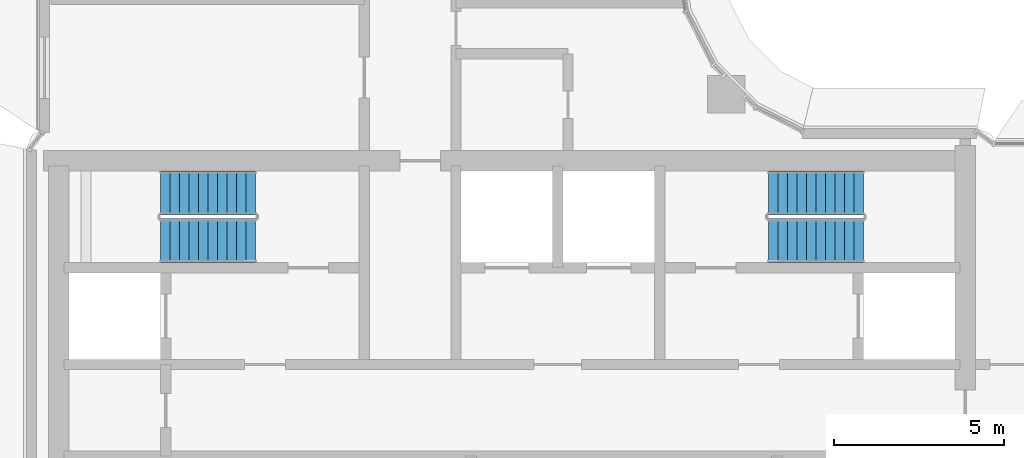
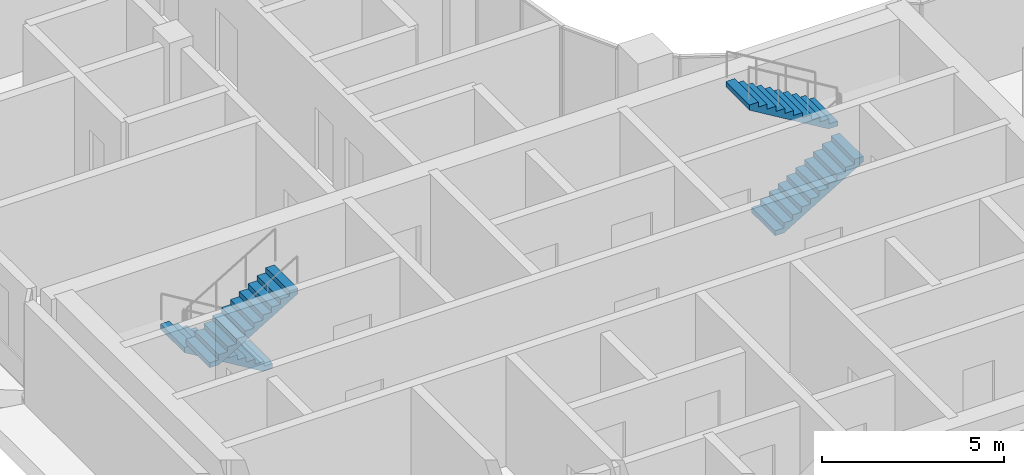
# One storey, part 14 of 24: 4 stair flights, 2 elements without a shape of their own.
"""IFC4 building model written with IfcOpenShell, lengths in metres."""

from ifc_helpers import new_model, si_unit, direction, frame, origin, place, context, subcontext, project, spatial, triangles, source, transform, mapped, material, type_object, element, aggregate, save


model = new_model("IFC4")

# Units and contexts
model_context = context("Model", 3, precision=1e-05, world=origin(), true_north=direction((0.0, 1.0)))
body_context = subcontext(model_context, "Body", "Model", "MODEL_VIEW")
ifc_project = project(units=[si_unit("LENGTHUNIT", "METRE"), si_unit("AREAUNIT", "SQUARE_METRE"), si_unit("VOLUMEUNIT", "CUBIC_METRE"), si_unit("PLANEANGLEUNIT", "RADIAN"), si_unit("MASSUNIT", "GRAM", prefix="KILO")], contexts=[model_context])

# Site, building, storey
site_placement = place(None, origin())
site = spatial("IfcSite", under=ifc_project, at=site_placement, CompositionType="ELEMENT")
building_placement = place(site_placement, origin())
building = spatial("IfcBuilding", under=site, at=building_placement, Name="Ogive Portal Towers", CompositionType="ELEMENT")
storey_placement = place(building_placement, frame((0.0, 0.0, 153.300048828125)))
storey = spatial("IfcBuildingStorey", under=building, at=storey_placement, Name="L37", CompositionType="ELEMENT", Elevation=153.300048828125)

# Stair, stair flights
ifc_material = material(Name="Concrete C40/50", Category="concrete")
stair_type = type_object("IfcStairType", Name="INT-STAIR", PredefinedType="HALF_TURN_STAIR", material=ifc_material)
stair_1_placement = place(storey_placement, origin())
stair_1 = element("IfcStair", 1, at=stair_1_placement, inside=storey, type_object=stair_type, Name="L37 Exit Stair ST-A1", PredefinedType="HALF_TURN_STAIR")
stair_flight_type = type_object("IfcStairFlightType", Name="INT-FLIGHT", PredefinedType="STRAIGHT", material=ifc_material)
shared_shape = source(origin(), body_context, "Body", "Tessellation", [
    triangles([(0.0, -0.650146484375, 0.0), (0.0, -0.376220703125, 0.0), (0.0, -0.192626953125, 0.0), (0.0, -0.081298828125, 0.0), (0.0, -0.024169921875, 0.0), (0.0, -0.003173828125, 0.0), (0.0, 0.0, 0.0), (0.0, 0.0029296875, 0.0), (0.0, 0.02392578125, 0.0), (0.0, 0.0810546875, 0.0), (0.0, 0.1923828125, 0.0), (0.0, 0.3759765625, 0.0), (0.0, 0.64990234375, 0.0), (0.0, -0.650146484375, 0.168212890625), (0.0, -0.376220703125, 0.168212890625), (0.0, -0.192626953125, 0.168212890625), (0.0, -0.081298828125, 0.168212890625), (0.0, -0.024169921875, 0.168212890625), (0.0, -0.003173828125, 0.168212890625), (0.0, 0.0, 0.168212890625), (0.0, 0.0029296875, 0.168212890625), (0.0, 0.02392578125, 0.168212890625), (0.0, 0.0810546875, 0.168212890625), (0.0, 0.1923828125, 0.168212890625), (0.0, 0.3759765625, 0.168212890625), (0.0, 0.64990234375, 0.168212890625), (0.280029296875, -0.650146484375, 0.168212890625), (0.280029296875, -0.376220703125, 0.168212890625), (0.280029296875, -0.192626953125, 0.168212890625), (0.280029296875, -0.081298828125, 0.168212890625), (0.280029296875, -0.024169921875, 0.168212890625), (0.280029296875, -0.003173828125, 0.168212890625), (0.280029296875, 0.0, 0.168212890625), (0.280029296875, 0.0029296875, 0.168212890625), (0.280029296875, 0.02392578125, 0.168212890625), (0.280029296875, 0.0810546875, 0.168212890625), (0.280029296875, 0.1923828125, 0.168212890625), (0.280029296875, 0.3759765625, 0.168212890625), (0.280029296875, 0.64990234375, 0.168212890625), (0.280029296875, -0.650146484375, 0.33642578125), (0.280029296875, -0.376220703125, 0.33642578125), (0.280029296875, -0.192626953125, 0.33642578125), (0.280029296875, -0.081298828125, 0.33642578125), (0.280029296875, -0.024169921875, 0.33642578125), (0.280029296875, -0.003173828125, 0.33642578125), (0.280029296875, 0.0, 0.33642578125), (0.280029296875, 0.0029296875, 0.33642578125), (0.280029296875, 0.02392578125, 0.33642578125), (0.280029296875, 0.0810546875, 0.33642578125), (0.280029296875, 0.1923828125, 0.33642578125), (0.280029296875, 0.3759765625, 0.33642578125), (0.280029296875, 0.64990234375, 0.33642578125), (0.56005859375, -0.650146484375, 0.33642578125), (0.56005859375, -0.376220703125, 0.33642578125), (0.56005859375, -0.192626953125, 0.33642578125), (0.56005859375, -0.081298828125, 0.33642578125), (0.56005859375, -0.024169921875, 0.33642578125), (0.56005859375, -0.003173828125, 0.33642578125), (0.56005859375, 0.0, 0.33642578125), (0.56005859375, 0.0029296875, 0.33642578125), (0.56005859375, 0.02392578125, 0.33642578125), (0.56005859375, 0.0810546875, 0.33642578125), (0.56005859375, 0.1923828125, 0.33642578125), (0.56005859375, 0.3759765625, 0.33642578125), (0.56005859375, 0.64990234375, 0.33642578125), (0.56005859375, -0.650146484375, 0.504638671875), (0.56005859375, -0.376220703125, 0.504638671875), (0.56005859375, -0.192626953125, 0.504638671875), (0.56005859375, -0.081298828125, 0.504638671875), (0.56005859375, -0.024169921875, 0.504638671875), (0.56005859375, -0.003173828125, 0.504638671875), (0.56005859375, 0.0, 0.504638671875), (0.56005859375, 0.0029296875, 0.504638671875), (0.56005859375, 0.02392578125, 0.504638671875), (0.56005859375, 0.0810546875, 0.504638671875), (0.56005859375, 0.1923828125, 0.504638671875), (0.56005859375, 0.3759765625, 0.504638671875), (0.56005859375, 0.64990234375, 0.504638671875), (0.840087890625, -0.650146484375, 0.504638671875), (0.840087890625, -0.376220703125, 0.504638671875), (0.840087890625, -0.192626953125, 0.504638671875), (0.840087890625, -0.081298828125, 0.504638671875), (0.840087890625, -0.024169921875, 0.504638671875), (0.840087890625, -0.003173828125, 0.504638671875), (0.840087890625, 0.0, 0.504638671875), (0.840087890625, 0.0029296875, 0.504638671875), (0.840087890625, 0.02392578125, 0.504638671875), (0.840087890625, 0.0810546875, 0.504638671875), (0.840087890625, 0.1923828125, 0.504638671875), (0.840087890625, 0.3759765625, 0.504638671875), (0.840087890625, 0.64990234375, 0.504638671875), (0.840087890625, -0.650146484375, 0.672607421875), (0.840087890625, -0.376220703125, 0.672607421875), (0.840087890625, -0.192626953125, 0.672607421875), (0.840087890625, -0.081298828125, 0.672607421875), (0.840087890625, -0.024169921875, 0.672607421875), (0.840087890625, -0.003173828125, 0.672607421875), (0.840087890625, 0.0, 0.672607421875), (0.840087890625, 0.0029296875, 0.672607421875), (0.840087890625, 0.02392578125, 0.672607421875), (0.840087890625, 0.0810546875, 0.672607421875), (0.840087890625, 0.1923828125, 0.672607421875), (0.840087890625, 0.3759765625, 0.672607421875), (0.840087890625, 0.64990234375, 0.672607421875), (1.1201171875, -0.650146484375, 0.672607421875), (1.1201171875, -0.376220703125, 0.672607421875), (1.1201171875, -0.192626953125, 0.672607421875), (1.1201171875, -0.081298828125, 0.672607421875), (1.1201171875, -0.024169921875, 0.672607421875), (1.1201171875, -0.003173828125, 0.672607421875), (1.1201171875, 0.0, 0.672607421875), (1.1201171875, 0.0029296875, 0.672607421875), (1.1201171875, 0.02392578125, 0.672607421875), (1.1201171875, 0.0810546875, 0.672607421875), (1.1201171875, 0.1923828125, 0.672607421875), (1.1201171875, 0.3759765625, 0.672607421875), (1.1201171875, 0.64990234375, 0.672607421875), (1.1201171875, -0.650146484375, 0.8408203125), (1.1201171875, -0.376220703125, 0.8408203125), (1.1201171875, -0.192626953125, 0.8408203125), (1.1201171875, -0.081298828125, 0.8408203125), (1.1201171875, -0.024169921875, 0.8408203125), (1.1201171875, -0.003173828125, 0.8408203125), (1.1201171875, 0.0, 0.8408203125), (1.1201171875, 0.0029296875, 0.8408203125), (1.1201171875, 0.02392578125, 0.8408203125), (1.1201171875, 0.0810546875, 0.8408203125), (1.1201171875, 0.1923828125, 0.8408203125), (1.1201171875, 0.3759765625, 0.8408203125), (1.1201171875, 0.64990234375, 0.8408203125), (1.39990234375, -0.650146484375, 0.8408203125), (1.39990234375, -0.376220703125, 0.8408203125), (1.39990234375, -0.192626953125, 0.8408203125), (1.39990234375, -0.081298828125, 0.8408203125), (1.39990234375, -0.024169921875, 0.8408203125), (1.39990234375, -0.003173828125, 0.8408203125), (1.39990234375, 0.0, 0.8408203125), (1.39990234375, 0.0029296875, 0.8408203125), (1.39990234375, 0.02392578125, 0.8408203125), (1.39990234375, 0.0810546875, 0.8408203125), (1.39990234375, 0.1923828125, 0.8408203125), (1.39990234375, 0.3759765625, 0.8408203125), (1.39990234375, 0.64990234375, 0.8408203125), (1.39990234375, -0.650146484375, 1.009033203125), (1.39990234375, -0.376220703125, 1.009033203125), (1.39990234375, -0.192626953125, 1.009033203125), (1.39990234375, -0.081298828125, 1.009033203125), (1.39990234375, -0.024169921875, 1.009033203125), (1.39990234375, -0.003173828125, 1.009033203125), (1.39990234375, 0.0, 1.009033203125), (1.39990234375, 0.0029296875, 1.009033203125), (1.39990234375, 0.02392578125, 1.009033203125), (1.39990234375, 0.0810546875, 1.009033203125), (1.39990234375, 0.1923828125, 1.009033203125), (1.39990234375, 0.3759765625, 1.009033203125), (1.39990234375, 0.64990234375, 1.009033203125), (1.679931640625, -0.650146484375, 1.009033203125), (1.679931640625, -0.376220703125, 1.009033203125), (1.679931640625, -0.192626953125, 1.009033203125), (1.679931640625, -0.081298828125, 1.009033203125), (1.679931640625, -0.024169921875, 1.009033203125), (1.679931640625, -0.003173828125, 1.009033203125), (1.679931640625, 0.0, 1.009033203125), (1.679931640625, 0.0029296875, 1.009033203125), (1.679931640625, 0.02392578125, 1.009033203125), (1.679931640625, 0.0810546875, 1.009033203125), (1.679931640625, 0.1923828125, 1.009033203125), (1.679931640625, 0.3759765625, 1.009033203125), (1.679931640625, 0.64990234375, 1.009033203125), (1.679931640625, -0.650146484375, 1.17724609375), (1.679931640625, -0.376220703125, 1.17724609375), (1.679931640625, -0.192626953125, 1.17724609375), (1.679931640625, -0.081298828125, 1.17724609375), (1.679931640625, -0.024169921875, 1.17724609375), (1.679931640625, -0.003173828125, 1.17724609375), (1.679931640625, 0.0, 1.17724609375), (1.679931640625, 0.0029296875, 1.17724609375), (1.679931640625, 0.02392578125, 1.17724609375), (1.679931640625, 0.0810546875, 1.17724609375), (1.679931640625, 0.1923828125, 1.17724609375), (1.679931640625, 0.3759765625, 1.17724609375), (1.679931640625, 0.64990234375, 1.17724609375), (1.9599609375, -0.650146484375, 1.17724609375), (1.9599609375, -0.376220703125, 1.17724609375), (1.9599609375, -0.192626953125, 1.17724609375), (1.9599609375, -0.081298828125, 1.17724609375), (1.9599609375, -0.024169921875, 1.17724609375), (1.9599609375, -0.003173828125, 1.17724609375), (1.9599609375, 0.0, 1.17724609375), (1.9599609375, 0.0029296875, 1.17724609375), (1.9599609375, 0.02392578125, 1.17724609375), (1.9599609375, 0.0810546875, 1.17724609375), (1.9599609375, 0.1923828125, 1.17724609375), (1.9599609375, 0.3759765625, 1.17724609375), (1.9599609375, 0.64990234375, 1.17724609375), (1.9599609375, -0.650146484375, 1.345458984375), (1.9599609375, -0.376220703125, 1.345458984375), (1.9599609375, -0.192626953125, 1.345458984375), (1.9599609375, -0.081298828125, 1.345458984375), (1.9599609375, -0.024169921875, 1.345458984375), (1.9599609375, -0.003173828125, 1.345458984375), (1.9599609375, 0.0, 1.345458984375), (1.9599609375, 0.0029296875, 1.345458984375), (1.9599609375, 0.02392578125, 1.345458984375), (1.9599609375, 0.0810546875, 1.345458984375), (1.9599609375, 0.1923828125, 1.345458984375), (1.9599609375, 0.3759765625, 1.345458984375), (1.9599609375, 0.64990234375, 1.345458984375), (2.239990234375, -0.650146484375, 1.345458984375), (2.239990234375, -0.376220703125, 1.345458984375), (2.239990234375, -0.192626953125, 1.345458984375), (2.239990234375, -0.081298828125, 1.345458984375), (2.239990234375, -0.024169921875, 1.345458984375), (2.239990234375, -0.003173828125, 1.345458984375), (2.239990234375, 0.0, 1.345458984375), (2.239990234375, 0.0029296875, 1.345458984375), (2.239990234375, 0.02392578125, 1.345458984375), (2.239990234375, 0.0810546875, 1.345458984375), (2.239990234375, 0.1923828125, 1.345458984375), (2.239990234375, 0.3759765625, 1.345458984375), (2.239990234375, 0.64990234375, 1.345458984375), (2.239990234375, -0.650146484375, 1.513671875), (2.239990234375, -0.376220703125, 1.513671875), (2.239990234375, -0.192626953125, 1.513671875), (2.239990234375, -0.081298828125, 1.513671875), (2.239990234375, -0.024169921875, 1.513671875), (2.239990234375, -0.003173828125, 1.513671875), (2.239990234375, 0.0, 1.513671875), (2.239990234375, 0.0029296875, 1.513671875), (2.239990234375, 0.02392578125, 1.513671875), (2.239990234375, 0.0810546875, 1.513671875), (2.239990234375, 0.1923828125, 1.513671875), (2.239990234375, 0.3759765625, 1.513671875), (2.239990234375, 0.64990234375, 1.513671875), (2.52001953125, -0.650146484375, 1.513671875), (2.52001953125, -0.376220703125, 1.513671875), (2.52001953125, -0.192626953125, 1.513671875), (2.52001953125, -0.081298828125, 1.513671875), (2.52001953125, -0.024169921875, 1.513671875), (2.52001953125, -0.003173828125, 1.513671875), (2.52001953125, 0.0, 1.513671875), (2.52001953125, 0.0029296875, 1.513671875), (2.52001953125, 0.02392578125, 1.513671875), (2.52001953125, 0.0810546875, 1.513671875), (2.52001953125, 0.1923828125, 1.513671875), (2.52001953125, 0.3759765625, 1.513671875), (2.52001953125, 0.64990234375, 1.513671875), (2.52001953125, -0.650146484375, 1.681884765625), (2.52001953125, -0.376220703125, 1.681884765625), (2.52001953125, -0.192626953125, 1.681884765625), (2.52001953125, -0.081298828125, 1.681884765625), (2.52001953125, -0.024169921875, 1.681884765625), (2.52001953125, -0.003173828125, 1.681884765625), (2.52001953125, 0.0, 1.681884765625), (2.52001953125, 0.0029296875, 1.681884765625), (2.52001953125, 0.02392578125, 1.681884765625), (2.52001953125, 0.0810546875, 1.681884765625), (2.52001953125, 0.1923828125, 1.681884765625), (2.52001953125, 0.3759765625, 1.681884765625), (2.52001953125, 0.64990234375, 1.681884765625), (2.800048828125, -0.650146484375, 1.681884765625), (2.800048828125, -0.376220703125, 1.681884765625), (2.800048828125, -0.192626953125, 1.681884765625), (2.800048828125, -0.081298828125, 1.681884765625), (2.800048828125, -0.024169921875, 1.681884765625), (2.800048828125, -0.003173828125, 1.681884765625), (2.800048828125, 0.0, 1.681884765625), (2.800048828125, 0.0029296875, 1.681884765625), (2.800048828125, 0.02392578125, 1.681884765625), (2.800048828125, 0.0810546875, 1.681884765625), (2.800048828125, 0.1923828125, 1.681884765625), (2.800048828125, 0.3759765625, 1.681884765625), (2.800048828125, 0.64990234375, 1.681884765625), (2.800048828125, -0.650146484375, 1.5068359375), (2.800048828125, -0.376220703125, 1.5068359375), (2.800048828125, -0.192626953125, 1.5068359375), (2.800048828125, -0.081298828125, 1.5068359375), (2.800048828125, -0.024169921875, 1.5068359375), (2.800048828125, -0.003173828125, 1.5068359375), (2.800048828125, 0.0, 1.5068359375), (2.800048828125, 0.0029296875, 1.5068359375), (2.800048828125, 0.02392578125, 1.5068359375), (2.800048828125, 0.0810546875, 1.5068359375), (2.800048828125, 0.1923828125, 1.5068359375), (2.800048828125, 0.3759765625, 1.5068359375), (2.800048828125, 0.64990234375, 1.5068359375), (0.291015625, -0.650146484375, 0.0), (0.291015625, -0.376220703125, 0.0), (0.291015625, -0.192626953125, 0.0), (0.291015625, -0.081298828125, 0.0), (0.291015625, -0.024169921875, 0.0), (0.291015625, -0.003173828125, 0.0), (0.291015625, 0.0, 0.0), (0.291015625, 0.0029296875, 0.0), (0.291015625, 0.02392578125, 0.0), (0.291015625, 0.0810546875, 0.0), (0.291015625, 0.1923828125, 0.0), (0.291015625, 0.3759765625, 0.0), (0.291015625, 0.64990234375, 0.0)], [[1, 14, 15], [1, 15, 2], [2, 15, 16], [2, 16, 3], [3, 16, 17], [3, 17, 4], [4, 17, 18], [4, 18, 5], [5, 18, 19], [5, 19, 6], [6, 19, 20], [6, 20, 7], [7, 20, 21], [7, 21, 8], [8, 21, 22], [8, 22, 9], [9, 22, 23], [9, 23, 10], [10, 23, 24], [10, 24, 11], [11, 24, 25], [11, 25, 12], [12, 25, 26], [12, 26, 13], [14, 27, 28], [14, 28, 15], [15, 28, 29], [15, 29, 16], [16, 29, 30], [16, 30, 17], [17, 30, 31], [17, 31, 18], [18, 31, 32], [18, 32, 19], [19, 32, 33], [19, 33, 20], [20, 33, 34], [20, 34, 21], [21, 34, 35], [21, 35, 22], [22, 35, 36], [22, 36, 23], [23, 36, 37], [23, 37, 24], [24, 37, 38], [24, 38, 25], [25, 38, 39], [25, 39, 26], [27, 40, 41], [27, 41, 28], [28, 41, 42], [28, 42, 29], [29, 42, 43], [29, 43, 30], [30, 43, 44], [30, 44, 31], [31, 44, 45], [31, 45, 32], [32, 45, 46], [32, 46, 33], [33, 46, 47], [33, 47, 34], [34, 47, 48], [34, 48, 35], [35, 48, 49], [35, 49, 36], [36, 49, 50], [36, 50, 37], [37, 50, 51], [37, 51, 38], [38, 51, 52], [38, 52, 39], [40, 53, 54], [40, 54, 41], [41, 54, 55], [41, 55, 42], [42, 55, 56], [42, 56, 43], [43, 56, 57], [43, 57, 44], [44, 57, 58], [44, 58, 45], [45, 58, 59], [45, 59, 46], [46, 59, 60], [46, 60, 47], [47, 60, 61], [47, 61, 48], [48, 61, 62], [48, 62, 49], [49, 62, 63], [49, 63, 50], [50, 63, 64], [50, 64, 51], [51, 64, 65], [51, 65, 52], [53, 66, 67], [53, 67, 54], [54, 67, 68], [54, 68, 55], [55, 68, 69], [55, 69, 56], [56, 69, 70], [56, 70, 57], [57, 70, 71], [57, 71, 58], [58, 71, 72], [58, 72, 59], [59, 72, 73], [59, 73, 60], [60, 73, 74], [60, 74, 61], [61, 74, 75], [61, 75, 62], [62, 75, 76], [62, 76, 63], [63, 76, 77], [63, 77, 64], [64, 77, 78], [64, 78, 65], [66, 79, 80], [66, 80, 67], [67, 80, 81], [67, 81, 68], [68, 81, 82], [68, 82, 69], [69, 82, 83], [69, 83, 70], [70, 83, 84], [70, 84, 71], [71, 84, 85], [71, 85, 72], [72, 85, 86], [72, 86, 73], [73, 86, 87], [73, 87, 74], [74, 87, 88], [74, 88, 75], [75, 88, 89], [75, 89, 76], [76, 89, 90], [76, 90, 77], [77, 90, 91], [77, 91, 78], [79, 92, 93], [79, 93, 80], [80, 93, 94], [80, 94, 81], [81, 94, 95], [81, 95, 82], [82, 95, 96], [82, 96, 83], [83, 96, 97], [83, 97, 84], [84, 97, 98], [84, 98, 85], [85, 98, 99], [85, 99, 86], [86, 99, 100], [86, 100, 87], [87, 100, 101], [87, 101, 88], [88, 101, 102], [88, 102, 89], [89, 102, 103], [89, 103, 90], [90, 103, 104], [90, 104, 91], [92, 105, 106], [92, 106, 93], [93, 106, 107], [93, 107, 94], [94, 107, 108], [94, 108, 95], [95, 108, 109], [95, 109, 96], [96, 109, 110], [96, 110, 97], [97, 110, 111], [97, 111, 98], [98, 111, 112], [98, 112, 99], [99, 112, 113], [99, 113, 100], [100, 113, 114], [100, 114, 101], [101, 114, 115], [101, 115, 102], [102, 115, 116], [102, 116, 103], [103, 116, 117], [103, 117, 104], [105, 118, 119], [105, 119, 106], [106, 119, 120], [106, 120, 107], [107, 120, 121], [107, 121, 108], [108, 121, 122], [108, 122, 109], [109, 122, 123], [109, 123, 110], [110, 123, 124], [110, 124, 111], [111, 124, 125], [111, 125, 112], [112, 125, 126], [112, 126, 113], [113, 126, 127], [113, 127, 114], [114, 127, 128], [114, 128, 115], [115, 128, 129], [115, 129, 116], [116, 129, 130], [116, 130, 117], [118, 131, 132], [118, 132, 119], [119, 132, 133], [119, 133, 120], [120, 133, 134], [120, 134, 121], [121, 134, 135], [121, 135, 122], [122, 135, 136], [122, 136, 123], [123, 136, 137], [123, 137, 124], [124, 137, 138], [124, 138, 125], [125, 138, 139], [125, 139, 126], [126, 139, 140], [126, 140, 127], [127, 140, 141], [127, 141, 128], [128, 141, 142], [128, 142, 129], [129, 142, 143], [129, 143, 130], [131, 144, 145], [131, 145, 132], [132, 145, 146], [132, 146, 133], [133, 146, 147], [133, 147, 134], [134, 147, 148], [134, 148, 135], [135, 148, 149], [135, 149, 136], [136, 149, 150], [136, 150, 137], [137, 150, 151], [137, 151, 138], [138, 151, 152], [138, 152, 139], [139, 152, 153], [139, 153, 140], [140, 153, 154], [140, 154, 141], [141, 154, 155], [141, 155, 142], [142, 155, 156], [142, 156, 143], [144, 157, 158], [144, 158, 145], [145, 158, 159], [145, 159, 146], [146, 159, 160], [146, 160, 147], [147, 160, 161], [147, 161, 148], [148, 161, 162], [148, 162, 149], [149, 162, 163], [149, 163, 150], [150, 163, 164], [150, 164, 151], [151, 164, 165], [151, 165, 152], [152, 165, 166], [152, 166, 153], [153, 166, 167], [153, 167, 154], [154, 167, 168], [154, 168, 155], [155, 168, 169], [155, 169, 156], [157, 170, 171], [157, 171, 158], [158, 171, 172], [158, 172, 159], [159, 172, 173], [159, 173, 160], [160, 173, 174], [160, 174, 161], [161, 174, 175], [161, 175, 162], [162, 175, 176], [162, 176, 163], [163, 176, 177], [163, 177, 164], [164, 177, 178], [164, 178, 165], [165, 178, 179], [165, 179, 166], [166, 179, 180], [166, 180, 167], [167, 180, 181], [167, 181, 168], [168, 181, 182], [168, 182, 169], [170, 183, 184], [170, 184, 171], [171, 184, 185], [171, 185, 172], [172, 185, 186], [172, 186, 173], [173, 186, 187], [173, 187, 174], [174, 187, 188], [174, 188, 175], [175, 188, 189], [175, 189, 176], [176, 189, 190], [176, 190, 177], [177, 190, 191], [177, 191, 178], [178, 191, 192], [178, 192, 179], [179, 192, 193], [179, 193, 180], [180, 193, 194], [180, 194, 181], [181, 194, 195], [181, 195, 182], [183, 196, 197], [183, 197, 184], [184, 197, 198], [184, 198, 185], [185, 198, 199], [185, 199, 186], [186, 199, 200], [186, 200, 187], [187, 200, 201], [187, 201, 188], [188, 201, 202], [188, 202, 189], [189, 202, 203], [189, 203, 190], [190, 203, 204], [190, 204, 191], [191, 204, 205], [191, 205, 192], [192, 205, 206], [192, 206, 193], [193, 206, 207], [193, 207, 194], [194, 207, 208], [194, 208, 195], [196, 209, 210], [196, 210, 197], [197, 210, 211], [197, 211, 198], [198, 211, 212], [198, 212, 199], [199, 212, 213], [199, 213, 200], [200, 213, 214], [200, 214, 201], [201, 214, 215], [201, 215, 202], [202, 215, 216], [202, 216, 203], [203, 216, 217], [203, 217, 204], [204, 217, 218], [204, 218, 205], [205, 218, 219], [205, 219, 206], [206, 219, 220], [206, 220, 207], [207, 220, 221], [207, 221, 208], [209, 222, 223], [209, 223, 210], [210, 223, 224], [210, 224, 211], [211, 224, 225], [211, 225, 212], [212, 225, 226], [212, 226, 213], [213, 226, 227], [213, 227, 214], [214, 227, 228], [214, 228, 215], [215, 228, 229], [215, 229, 216], [216, 229, 230], [216, 230, 217], [217, 230, 231], [217, 231, 218], [218, 231, 232], [218, 232, 219], [219, 232, 233], [219, 233, 220], [220, 233, 234], [220, 234, 221], [222, 235, 236], [222, 236, 223], [223, 236, 237], [223, 237, 224], [224, 237, 238], [224, 238, 225], [225, 238, 239], [225, 239, 226], [226, 239, 240], [226, 240, 227], [227, 240, 241], [227, 241, 228], [228, 241, 242], [228, 242, 229], [229, 242, 243], [229, 243, 230], [230, 243, 244], [230, 244, 231], [231, 244, 245], [231, 245, 232], [232, 245, 246], [232, 246, 233], [233, 246, 247], [233, 247, 234], [235, 248, 249], [235, 249, 236], [236, 249, 250], [236, 250, 237], [237, 250, 251], [237, 251, 238], [238, 251, 252], [238, 252, 239], [239, 252, 253], [239, 253, 240], [240, 253, 254], [240, 254, 241], [241, 254, 255], [241, 255, 242], [242, 255, 256], [242, 256, 243], [243, 256, 257], [243, 257, 244], [244, 257, 258], [244, 258, 245], [245, 258, 259], [245, 259, 246], [246, 259, 260], [246, 260, 247], [248, 261, 262], [248, 262, 249], [249, 262, 263], [249, 263, 250], [250, 263, 264], [250, 264, 251], [251, 264, 265], [251, 265, 252], [252, 265, 266], [252, 266, 253], [253, 266, 267], [253, 267, 254], [254, 267, 268], [254, 268, 255], [255, 268, 269], [255, 269, 256], [256, 269, 270], [256, 270, 257], [257, 270, 271], [257, 271, 258], [258, 271, 272], [258, 272, 259], [259, 272, 273], [259, 273, 260], [261, 274, 275], [261, 275, 262], [262, 275, 276], [262, 276, 263], [263, 276, 277], [263, 277, 264], [264, 277, 278], [264, 278, 265], [265, 278, 279], [265, 279, 266], [266, 279, 280], [266, 280, 267], [267, 280, 281], [267, 281, 268], [268, 281, 282], [268, 282, 269], [269, 282, 283], [269, 283, 270], [270, 283, 284], [270, 284, 271], [271, 284, 285], [271, 285, 272], [272, 285, 286], [272, 286, 273], [274, 287, 288], [274, 288, 275], [275, 288, 289], [275, 289, 276], [276, 289, 290], [276, 290, 277], [277, 290, 291], [277, 291, 278], [278, 291, 292], [278, 292, 279], [279, 292, 293], [279, 293, 280], [280, 293, 294], [280, 294, 281], [281, 294, 295], [281, 295, 282], [282, 295, 296], [282, 296, 283], [283, 296, 297], [283, 297, 284], [284, 297, 298], [284, 298, 285], [285, 298, 299], [285, 299, 286], [287, 1, 2], [287, 2, 288], [288, 2, 3], [288, 3, 289], [289, 3, 4], [289, 4, 290], [290, 4, 5], [290, 5, 291], [291, 5, 6], [291, 6, 292], [292, 6, 7], [292, 7, 293], [293, 7, 8], [293, 8, 294], [294, 8, 9], [294, 9, 295], [295, 9, 10], [295, 10, 296], [296, 10, 11], [296, 11, 297], [297, 11, 12], [297, 12, 298], [298, 12, 13], [298, 13, 299], [1, 287, 274], [13, 286, 299], [274, 261, 248], [286, 260, 273], [274, 248, 235], [286, 247, 260], [274, 235, 222], [286, 234, 247], [274, 222, 209], [286, 221, 234], [209, 196, 183], [221, 195, 208], [274, 209, 183], [286, 195, 221], [183, 170, 157], [195, 169, 182], [274, 183, 157], [286, 169, 195], [157, 144, 131], [169, 143, 156], [274, 157, 131], [286, 143, 169], [131, 118, 105], [143, 117, 130], [274, 131, 105], [286, 117, 143], [1, 274, 105], [13, 117, 286], [105, 92, 79], [117, 91, 104], [79, 66, 53], [91, 65, 78], [105, 79, 53], [117, 65, 91], [53, 40, 27], [65, 39, 52], [105, 53, 27], [117, 39, 65], [1, 105, 27], [13, 39, 117], [27, 14, 1], [39, 13, 26]], closed=True),
])
stair_flight_1_placement = place(storey_placement, frame((37.449951171875, 38.39990234375, 0.0), z_axis=(0.0, 0.0, 1.0), x_axis=(-1.0, 0.0, 0.0)))
stair_flight_1 = element("IfcStairFlight", 2, at=stair_flight_1_placement, type_object=stair_flight_type, Name="ST-A1 flight 1", NumberOfRisers=11, NumberOfTreads=10, PredefinedType="STRAIGHT", RiserHeight=0.168181818, TreadLength=0.28, context=body_context, shape_type="MappedRepresentation", body=[
    mapped(shared_shape, transform((0.0, 0.0, 0.0), scale=1.0)),
])
stair_flight_2_placement = place(storey_placement, frame((34.64990234375, 37.0, 1.849853515625), z_axis=(0.0, 0.0, 1.0), x_axis=(1.0, 0.0, 0.0)))
stair_flight_2 = element("IfcStairFlight", 3, at=stair_flight_2_placement, type_object=stair_flight_type, Name="ST-A1 flight 2", NumberOfRisers=11, NumberOfTreads=10, PredefinedType="STRAIGHT", RiserHeight=0.168181818, TreadLength=0.28, context=body_context, shape_type="MappedRepresentation", body=[
    mapped(shared_shape, transform((0.0, 0.0, 0.0), scale=1.0)),
])
aggregate(stair_1, [stair_flight_1, stair_flight_2])

stair_2_placement = place(storey_placement, origin())
stair_2 = element("IfcStair", 4, at=stair_2_placement, inside=storey, type_object=stair_type, Name="L37 Exit Stair ST-A2", PredefinedType="HALF_TURN_STAIR")
stair_flight_3_placement = place(storey_placement, frame((52.550048828125, 37.0, 0.0), z_axis=(0.0, 0.0, 1.0), x_axis=(1.0, 0.0, 0.0)))
stair_flight_3 = element("IfcStairFlight", 5, at=stair_flight_3_placement, type_object=stair_flight_type, Name="ST-A2 flight 1", NumberOfRisers=11, NumberOfTreads=10, PredefinedType="STRAIGHT", RiserHeight=0.168181818, TreadLength=0.28, context=body_context, shape_type="MappedRepresentation", body=[
    mapped(shared_shape, transform((0.0, 0.0, 0.0), scale=1.0)),
])
stair_flight_4_placement = place(storey_placement, frame((55.35009765625, 38.39990234375, 1.849853515625), z_axis=(0.0, 0.0, 1.0), x_axis=(-1.0, 0.0, 0.0)))
stair_flight_4 = element("IfcStairFlight", 6, at=stair_flight_4_placement, type_object=stair_flight_type, Name="ST-A2 flight 2", NumberOfRisers=11, NumberOfTreads=10, PredefinedType="STRAIGHT", RiserHeight=0.168181818, TreadLength=0.28, context=body_context, shape_type="MappedRepresentation", body=[
    mapped(shared_shape, transform((0.0, 0.0, 0.0), scale=1.0)),
])
aggregate(stair_2, [stair_flight_3, stair_flight_4])

save(model, "model.ifc")
